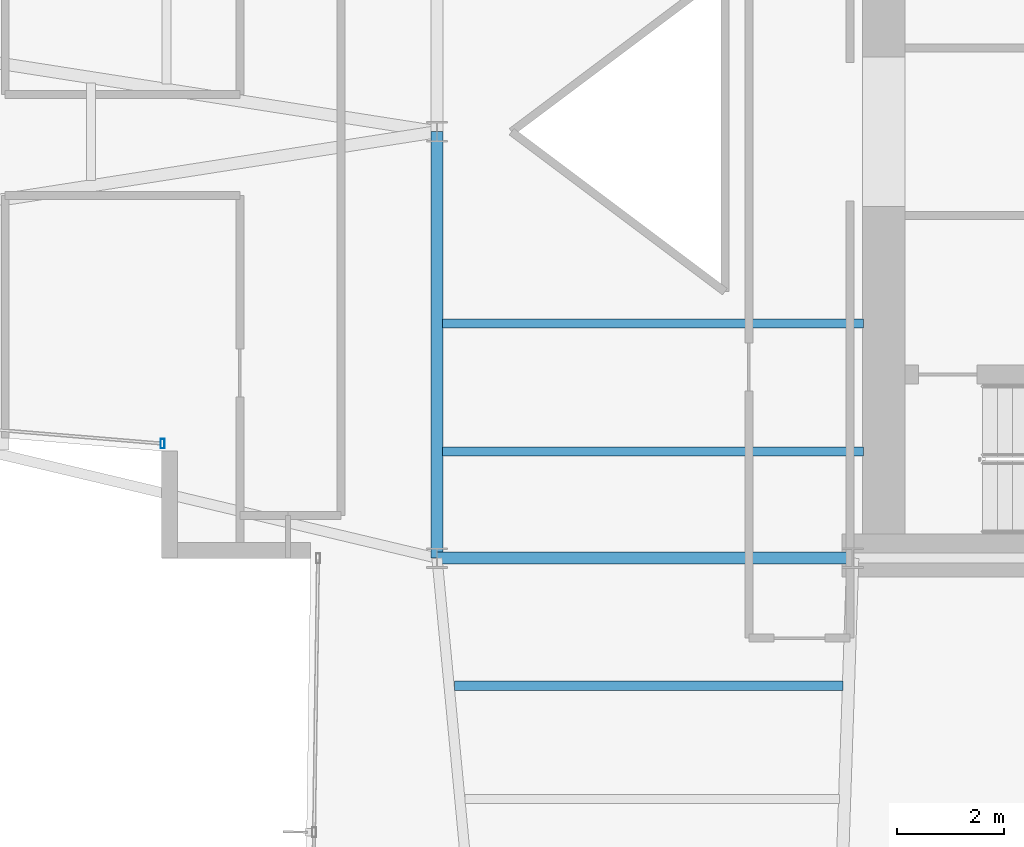
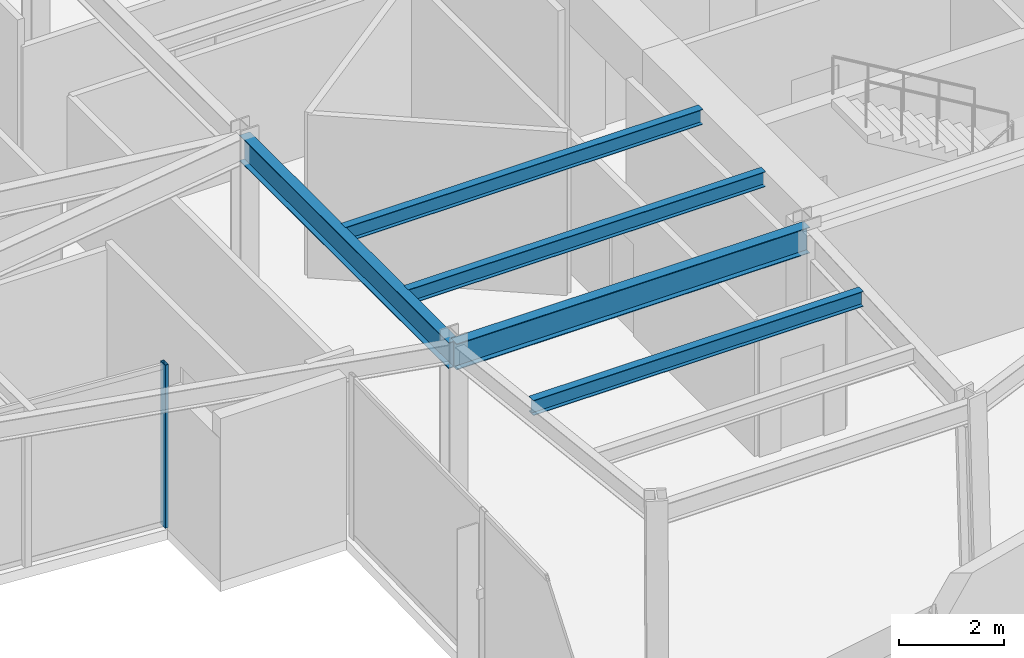
# One storey, part 5 of 24: 5 beams, 1 member, 1 element without a shape of its own.
"""IFC4 building model written with IfcOpenShell, lengths in metres."""

from ifc_helpers import new_model, si_unit, direction, frame, origin, origin_2d, place, context, subcontext, project, spatial, hollow_rectangle, i_section, extrude, material, layer, layer_set, material_profile, profile_set, type_object, element, aggregate, save


model = new_model("IFC4")

# Units and contexts
model_context = context("Model", 3, precision=1e-05, world=origin(), true_north=direction((0.0, 1.0)))
body_context = subcontext(model_context, "Body", "Model", "MODEL_VIEW")
ifc_project = project(units=[si_unit("LENGTHUNIT", "METRE"), si_unit("AREAUNIT", "SQUARE_METRE"), si_unit("VOLUMEUNIT", "CUBIC_METRE"), si_unit("PLANEANGLEUNIT", "RADIAN"), si_unit("MASSUNIT", "GRAM", prefix="KILO")], contexts=[model_context])

# Site, building, storey
site_placement = place(None, origin())
site = spatial("IfcSite", under=ifc_project, at=site_placement, CompositionType="ELEMENT")
building_placement = place(site_placement, origin())
building = spatial("IfcBuilding", under=site, at=building_placement, Name="Veymaron Broadcast Tower", CompositionType="ELEMENT")
storey_placement = place(building_placement, frame((0.0, 0.0, 124.949951171875)))
storey = spatial("IfcBuildingStorey", under=building, at=storey_placement, Name="L28", CompositionType="ELEMENT", Elevation=124.949951171875)

# Beams
ifc_material_1 = material(Name="Structural steel ASTM A992 Gr 50", Category="steel")
ifc_material_profile_1 = material_profile(ifc_material_1, i_section(OverallWidth=0.22802734375, OverallDepth=0.60791015625, WebThickness=0.01123046875, FlangeThickness=0.017333984375, at=origin_2d()), Name="W610X113")
ifc_profile_set_1 = profile_set([ifc_material_profile_1], Name="Structural steel ASTM A992 Gr 50")
beam_type_1 = type_object("IfcBeamType", Name="BM-FG2", PredefinedType="BEAM", material=ifc_profile_set_1)
beam_1_placement = place(storey_placement, frame((31.199951171875, 16.0, 3.506103515625), z_axis=(0.0, 1.0, 0.0), x_axis=(-1.0, 0.0, 0.0)))
element("IfcBeam", 1, at=beam_1_placement, inside=storey, type_object=beam_type_1, Name="L28 primary structural floor girder", PredefinedType="BEAM", context=body_context, shape_type="SweptSolid", body=[
    extrude(i_section(OverallWidth=0.22802734375, OverallDepth=0.60791015625, WebThickness=0.01123046875, FlangeThickness=0.017333984375, at=origin_2d()), origin(), (0.0, 0.0, 1.0), 8.0),
])
beam_2_placement = place(storey_placement, frame((31.199951171875, 16.0, 3.506103515625), z_axis=(1.0, 0.0, 0.0), x_axis=(0.0, 1.0, 0.0)))
element("IfcBeam", 2, at=beam_2_placement, inside=storey, type_object=beam_type_1, Name="L28 primary structural floor girder", PredefinedType="BEAM", context=body_context, shape_type="SweptSolid", body=[
    extrude(i_section(OverallWidth=0.22802734375, OverallDepth=0.60791015625, WebThickness=0.01123046875, FlangeThickness=0.017333984375, at=origin_2d()), origin(), (0.0, 0.0, 1.0), 7.800048828125),
])
ifc_material_profile_2 = material_profile(ifc_material_1, i_section(OverallWidth=0.1708984375, OverallDepth=0.35498046875, WebThickness=0.007080078125, FlangeThickness=0.01171875, at=origin_2d()), Name="W360X51")
ifc_profile_set_2 = profile_set([ifc_material_profile_2], Name="Structural steel ASTM A992 Gr 50")
beam_type_2 = type_object("IfcBeamType", Name="BM-JS2", PredefinedType="JOIST", material=ifc_profile_set_2)
beam_3_placement = place(storey_placement, frame((31.52685546875, 13.60595703125, 3.632568359375), z_axis=(1.0, 0.0, 0.0), x_axis=(0.0, 1.0, 0.0)))
element("IfcBeam", 3, at=beam_3_placement, inside=storey, type_object=beam_type_2, Name="L28 Arm-C secondary joist 1", PredefinedType="JOIST", context=body_context, shape_type="SweptSolid", body=[
    extrude(i_section(OverallWidth=0.1708984375, OverallDepth=0.35498046875, WebThickness=0.007080078125, FlangeThickness=0.01171875, at=origin_2d()), origin(), (0.0, 0.0, 1.0), 7.292236328125),
])
for number, where, z_axis, x_axis, name in (
    (4, (31.300048828125, 18.0, 3.632568359375), (1.0, 0.0, 0.0), (0.0, 1.0, 0.0), "L28 Hub secondary joist 1"),
    (5, (31.300048828125, 20.39990234375, 3.632568359375), (1.0, 0.0, 0.0), (0.0, 1.0, 0.0), "L28 Hub secondary joist 2"),
):
    element("IfcBeam", number, at=place(storey_placement, frame(where, z_axis=z_axis, x_axis=x_axis)), inside=storey, type_object=beam_type_2, Name=name, PredefinedType="JOIST", context=body_context, shape_type="SweptSolid", body=[
        extrude(i_section(OverallWidth=0.1708984375, OverallDepth=0.35498046875, WebThickness=0.007080078125, FlangeThickness=0.01171875, at=origin_2d()), origin(), (0.0, 0.0, 1.0), 7.89990234375),
    ])

# Curtain wall, member
ifc_material_2 = material(Name="Anodised aluminium AA 6063-T6 and laminated low-E dark glass", Category="aluminium")
ifc_layer = layer(ifc_material_2, 0.179931640625)
ifc_layer_set = layer_set([ifc_layer], Name="Anodised aluminium AA 6063-T6 and laminated low-E dark glass")
curtain_wall_type = type_object("IfcCurtainWallType", Name="CW-SYS-03", PredefinedType="NOTDEFINED", material=ifc_layer_set)
curtain_wall_placement = place(storey_placement, origin())
curtain_wall = element("IfcCurtainWall", 6, at=curtain_wall_placement, inside=storey, type_object=curtain_wall_type, Name="L28 dark-glass curtain wall CW-L28-E14-1", PredefinedType="NOTDEFINED")
ifc_material_3 = material(Name="Anodised aluminium AA 6063-T6", Category="aluminium")
ifc_material_profile_3 = material_profile(ifc_material_3, hollow_rectangle(XDim=0.074951171875, YDim=0.179931640625, WallThickness=0.0048828125, at=origin_2d()), Name="AL180X75X5")
ifc_profile_set_3 = profile_set([ifc_material_profile_3], Name="Anodised aluminium AA 6063-T6")
member_type = type_object("IfcMemberType", Name="CW-MUL-02", PredefinedType="MULLION", material=ifc_profile_set_3)
member_placement = place(storey_placement, frame((26.051513671875, 18.149169921875, 0.0), z_axis=(0.0, 0.0, 1.0), x_axis=(1.0, 0.0, 0.0)))
member = element("IfcMember", 7, at=member_placement, type_object=member_type, Name="CW-L28-E14-1 mullion 2", PredefinedType="MULLION", context=body_context, shape_type="SweptSolid", body=[
    extrude(hollow_rectangle(XDim=0.074951171875, YDim=0.179931640625, WallThickness=0.0048828125, at=origin_2d()), origin(), (0.0, 0.0, 1.0), 3.81005859375),
])
aggregate(curtain_wall, [member])

save(model, "model.ifc")
